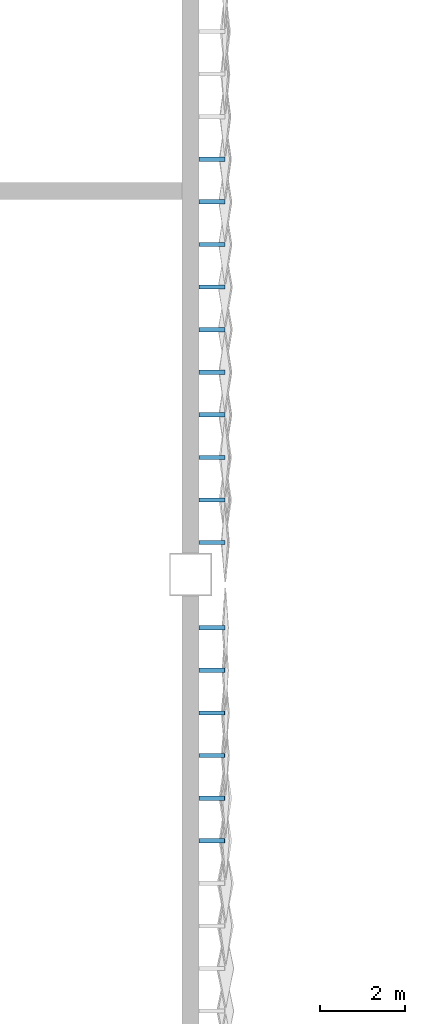
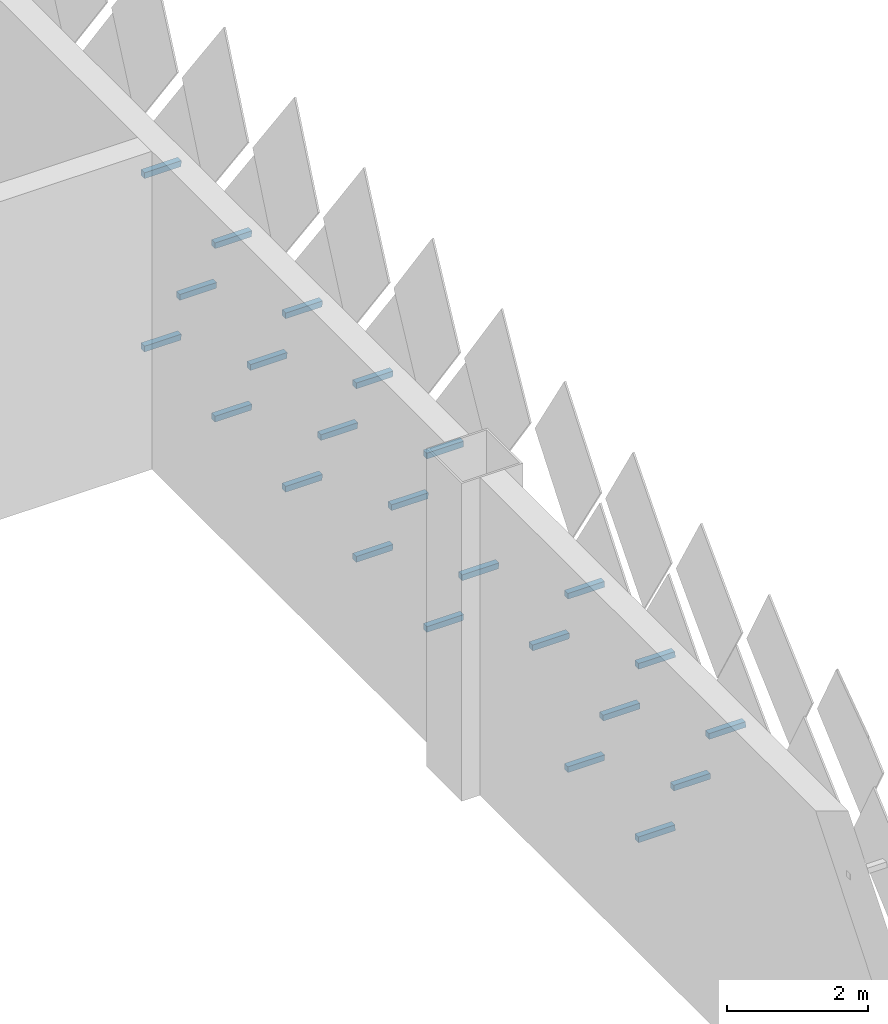
# One storey, part 144 of 185: 23 discrete accessories.
"""IFC4 building model written with IfcOpenShell, lengths in metres."""

from ifc_helpers import new_model, si_unit, direction, frame, origin, place, context, subcontext, project, spatial, polyline, outline, extrude, material, type_object, element, save


model = new_model("IFC4")

# Units and contexts
model_context = context("Model", 3, precision=1e-05, world=origin(), true_north=direction((0.0, 1.0)))
body_context = subcontext(model_context, "Body", "Model", "MODEL_VIEW")
ifc_project = project(units=[si_unit("LENGTHUNIT", "METRE"), si_unit("AREAUNIT", "SQUARE_METRE"), si_unit("VOLUMEUNIT", "CUBIC_METRE"), si_unit("PLANEANGLEUNIT", "RADIAN"), si_unit("MASSUNIT", "GRAM", prefix="KILO")], contexts=[model_context])

# Site, building, storey
site_placement = place(None, origin())
site = spatial("IfcSite", under=ifc_project, at=site_placement, CompositionType="ELEMENT")
building_placement = place(site_placement, origin())
building = spatial("IfcBuilding", under=site, at=building_placement, Name="Opaline Strait Convention Centre", CompositionType="ELEMENT")
storey_placement = place(building_placement, frame((0.0, 0.0, 6.0)))
storey = spatial("IfcBuildingStorey", under=building, at=storey_placement, Name="L01", CompositionType="ELEMENT", Elevation=6.0)

# Discrete accessories
ifc_material = material(Name="Steel Q355B", Category="steel")
discrete_accessory_type = type_object("IfcDiscreteAccessoryType", Name="Tile bracket 100x100 steel", PredefinedType="BRACKET", material=ifc_material)
discrete_accessory_1_placement = place(storey_placement, frame((261.199951171875, 121.699951171875, 1.39208984375), z_axis=(0.0, 1.0, 0.0), x_axis=(-1.0, 0.0, 0.0)))
element("IfcDiscreteAccessory", 1, at=discrete_accessory_1_placement, inside=storey, type_object=discrete_accessory_type, Name="Tile bracket XT05 E", PredefinedType="BRACKET", context=body_context, shape_type="SweptSolid", body=[
    extrude(outline(polyline([(0.0, -0.050048828125), (0.0, 0.050048828125), (-0.597900390625, 0.050048828125), (-0.602294921875, -0.050048828125), (0.0, -0.050048828125)])), origin(), (0.0, 0.0, 1.0), 0.10009765625),
])
discrete_accessory_2_placement = place(storey_placement, frame((261.199951171875, 123.699951171875, 1.39208984375), z_axis=(0.0, 1.0, 0.0), x_axis=(-1.0, 0.0, 0.0)))
element("IfcDiscreteAccessory", 2, at=discrete_accessory_2_placement, inside=storey, type_object=discrete_accessory_type, Name="Tile bracket XT05 E", PredefinedType="BRACKET", context=body_context, shape_type="SweptSolid", body=[
    extrude(outline(polyline([(0.0, -0.050048828125), (0.0, 0.050048828125), (-0.602294921875, 0.050048828125), (-0.597900390625, -0.050048828125), (0.0, -0.050048828125)])), origin(), (0.0, 0.0, 1.0), 0.10009765625),
])
discrete_accessory_3_placement = place(storey_placement, frame((261.199951171875, 127.699951171875, 1.39208984375), z_axis=(0.0, 1.0, 0.0), x_axis=(-1.0, 0.0, 0.0)))
element("IfcDiscreteAccessory", 3, at=discrete_accessory_3_placement, inside=storey, type_object=discrete_accessory_type, Name="Tile bracket XT11 E", PredefinedType="BRACKET", context=body_context, shape_type="SweptSolid", body=[
    extrude(outline(polyline([(0.0, -0.050048828125), (0.0, 0.050048828125), (-0.604736328125, 0.050048828125), (-0.59521484375, -0.050048828125), (0.0, -0.050048828125)])), origin(), (0.0, 0.0, 1.0), 0.10009765625),
])
discrete_accessory_4_placement = place(storey_placement, frame((261.199951171875, 129.699951171875, 1.39208984375), z_axis=(0.0, 1.0, 0.0), x_axis=(-1.0, 0.0, 0.0)))
element("IfcDiscreteAccessory", 4, at=discrete_accessory_4_placement, inside=storey, type_object=discrete_accessory_type, Name="Tile bracket XT12 E", PredefinedType="BRACKET", context=body_context, shape_type="SweptSolid", body=[
    extrude(outline(polyline([(0.0, -0.050048828125), (0.0, 0.050048828125), (-0.605224609375, 0.050048828125), (-0.5947265625, -0.050048828125), (0.0, -0.050048828125)])), origin(), (0.0, 0.0, 1.0), 0.10009765625),
])
discrete_accessory_5_placement = place(storey_placement, frame((261.199951171875, 131.699951171875, 1.39208984375), z_axis=(0.0, 1.0, 0.0), x_axis=(-1.0, 0.0, 0.0)))
element("IfcDiscreteAccessory", 5, at=discrete_accessory_5_placement, inside=storey, type_object=discrete_accessory_type, Name="Tile bracket XT13 E", PredefinedType="BRACKET", context=body_context, shape_type="SweptSolid", body=[
    extrude(outline(polyline([(0.0, -0.050048828125), (0.0, 0.050048828125), (-0.605712890625, 0.050048828125), (-0.59423828125, -0.050048828125), (0.0, -0.050048828125)])), origin(), (0.0, 0.0, 1.0), 0.10009765625),
])
discrete_accessory_6_placement = place(storey_placement, frame((261.199951171875, 133.699951171875, 1.39208984375), z_axis=(0.0, 1.0, 0.0), x_axis=(-1.0, 0.0, 0.0)))
element("IfcDiscreteAccessory", 6, at=discrete_accessory_6_placement, inside=storey, type_object=discrete_accessory_type, Name="Tile bracket XT11 E", PredefinedType="BRACKET", context=body_context, shape_type="SweptSolid", body=[
    extrude(outline(polyline([(0.0, -0.050048828125), (0.0, 0.050048828125), (-0.604736328125, 0.050048828125), (-0.59521484375, -0.050048828125), (0.0, -0.050048828125)])), origin(), (0.0, 0.0, 1.0), 0.10009765625),
])
discrete_accessory_7_placement = place(storey_placement, frame((261.199951171875, 135.699951171875, 1.39208984375), z_axis=(0.0, 1.0, 0.0), x_axis=(-1.0, 0.0, 0.0)))
element("IfcDiscreteAccessory", 7, at=discrete_accessory_7_placement, inside=storey, type_object=discrete_accessory_type, Name="Tile bracket XT09 E", PredefinedType="BRACKET", context=body_context, shape_type="SweptSolid", body=[
    extrude(outline(polyline([(0.0, -0.050048828125), (0.0, 0.050048828125), (-0.60400390625, 0.050048828125), (-0.595947265625, -0.050048828125), (0.0, -0.050048828125)])), origin(), (0.0, 0.0, 1.0), 0.10009765625),
])
discrete_accessory_8_placement = place(storey_placement, frame((261.199951171875, 120.699951171875, 2.89208984375), z_axis=(0.0, 1.0, 0.0), x_axis=(-1.0, 0.0, 0.0)))
element("IfcDiscreteAccessory", 8, at=discrete_accessory_8_placement, inside=storey, type_object=discrete_accessory_type, Name="Tile bracket XT07 E", PredefinedType="BRACKET", context=body_context, shape_type="SweptSolid", body=[
    extrude(outline(polyline([(0.0, -0.050048828125), (0.0, 0.050048828125), (-0.596923828125, 0.050048828125), (-0.60302734375, -0.050048828125), (0.0, -0.050048828125)])), origin(), (0.0, 0.0, 1.0), 0.10009765625),
])
discrete_accessory_9_placement = place(storey_placement, frame((261.199951171875, 122.699951171875, 2.89208984375), z_axis=(0.0, 1.0, 0.0), x_axis=(-1.0, 0.0, 0.0)))
element("IfcDiscreteAccessory", 9, at=discrete_accessory_9_placement, inside=storey, type_object=discrete_accessory_type, Name="Tile bracket XT05 E", PredefinedType="BRACKET", context=body_context, shape_type="SweptSolid", body=[
    extrude(outline(polyline([(0.0, -0.050048828125), (0.0, 0.050048828125), (-0.597900390625, 0.050048828125), (-0.602294921875, -0.050048828125), (0.0, -0.050048828125)])), origin(), (0.0, 0.0, 1.0), 0.10009765625),
])
discrete_accessory_10_placement = place(storey_placement, frame((261.199951171875, 124.699951171875, 2.89208984375), z_axis=(0.0, 1.0, 0.0), x_axis=(-1.0, 0.0, 0.0)))
element("IfcDiscreteAccessory", 10, at=discrete_accessory_10_placement, inside=storey, type_object=discrete_accessory_type, Name="Tile bracket XT05 E", PredefinedType="BRACKET", context=body_context, shape_type="SweptSolid", body=[
    extrude(outline(polyline([(0.0, -0.050048828125), (0.0, 0.050048828125), (-0.602294921875, 0.050048828125), (-0.597900390625, -0.050048828125), (0.0, -0.050048828125)])), origin(), (0.0, 0.0, 1.0), 0.10009765625),
])
discrete_accessory_11_placement = place(storey_placement, frame((261.199951171875, 126.699951171875, 2.89208984375), z_axis=(0.0, 1.0, 0.0), x_axis=(-1.0, 0.0, 0.0)))
element("IfcDiscreteAccessory", 11, at=discrete_accessory_11_placement, inside=storey, type_object=discrete_accessory_type, Name="Tile bracket XT07 E", PredefinedType="BRACKET", context=body_context, shape_type="SweptSolid", body=[
    extrude(outline(polyline([(0.0, -0.050048828125), (0.0, 0.050048828125), (-0.60302734375, 0.050048828125), (-0.596923828125, -0.050048828125), (0.0, -0.050048828125)])), origin(), (0.0, 0.0, 1.0), 0.10009765625),
])
discrete_accessory_12_placement = place(storey_placement, frame((261.199951171875, 128.699951171875, 2.89208984375), z_axis=(0.0, 1.0, 0.0), x_axis=(-1.0, 0.0, 0.0)))
element("IfcDiscreteAccessory", 12, at=discrete_accessory_12_placement, inside=storey, type_object=discrete_accessory_type, Name="Tile bracket XT11 E", PredefinedType="BRACKET", context=body_context, shape_type="SweptSolid", body=[
    extrude(outline(polyline([(0.0, -0.050048828125), (0.0, 0.050048828125), (-0.604736328125, 0.050048828125), (-0.59521484375, -0.050048828125), (0.0, -0.050048828125)])), origin(), (0.0, 0.0, 1.0), 0.10009765625),
])
discrete_accessory_13_placement = place(storey_placement, frame((261.199951171875, 130.699951171875, 2.89208984375), z_axis=(0.0, 1.0, 0.0), x_axis=(-1.0, 0.0, 0.0)))
element("IfcDiscreteAccessory", 13, at=discrete_accessory_13_placement, inside=storey, type_object=discrete_accessory_type, Name="Tile bracket XT12 E", PredefinedType="BRACKET", context=body_context, shape_type="SweptSolid", body=[
    extrude(outline(polyline([(0.0, -0.050048828125), (0.0, 0.050048828125), (-0.605224609375, 0.050048828125), (-0.5947265625, -0.050048828125), (0.0, -0.050048828125)])), origin(), (0.0, 0.0, 1.0), 0.10009765625),
])
discrete_accessory_14_placement = place(storey_placement, frame((261.199951171875, 132.699951171875, 2.89208984375), z_axis=(0.0, 1.0, 0.0), x_axis=(-1.0, 0.0, 0.0)))
element("IfcDiscreteAccessory", 14, at=discrete_accessory_14_placement, inside=storey, type_object=discrete_accessory_type, Name="Tile bracket XT13 E", PredefinedType="BRACKET", context=body_context, shape_type="SweptSolid", body=[
    extrude(outline(polyline([(0.0, -0.050048828125), (0.0, 0.050048828125), (-0.605712890625, 0.050048828125), (-0.59423828125, -0.050048828125), (0.0, -0.050048828125)])), origin(), (0.0, 0.0, 1.0), 0.10009765625),
])
discrete_accessory_15_placement = place(storey_placement, frame((261.199951171875, 134.699951171875, 2.89208984375), z_axis=(0.0, 1.0, 0.0), x_axis=(-1.0, 0.0, 0.0)))
element("IfcDiscreteAccessory", 15, at=discrete_accessory_15_placement, inside=storey, type_object=discrete_accessory_type, Name="Tile bracket XT11 E", PredefinedType="BRACKET", context=body_context, shape_type="SweptSolid", body=[
    extrude(outline(polyline([(0.0, -0.050048828125), (0.0, 0.050048828125), (-0.604736328125, 0.050048828125), (-0.59521484375, -0.050048828125), (0.0, -0.050048828125)])), origin(), (0.0, 0.0, 1.0), 0.10009765625),
])
discrete_accessory_16_placement = place(storey_placement, frame((261.199951171875, 119.699951171875, 4.39208984375), z_axis=(0.0, 1.0, 0.0), x_axis=(-1.0, 0.0, 0.0)))
element("IfcDiscreteAccessory", 16, at=discrete_accessory_16_placement, inside=storey, type_object=discrete_accessory_type, Name="Tile bracket XT12 E", PredefinedType="BRACKET", context=body_context, shape_type="SweptSolid", body=[
    extrude(outline(polyline([(0.0, -0.050048828125), (0.0, 0.050048828125), (-0.5947265625, 0.050048828125), (-0.605224609375, -0.050048828125), (0.0, -0.050048828125)])), origin(), (0.0, 0.0, 1.0), 0.10009765625),
])
discrete_accessory_17_placement = place(storey_placement, frame((261.199951171875, 121.699951171875, 4.39208984375), z_axis=(0.0, 1.0, 0.0), x_axis=(-1.0, 0.0, 0.0)))
element("IfcDiscreteAccessory", 17, at=discrete_accessory_17_placement, inside=storey, type_object=discrete_accessory_type, Name="Tile bracket XT08 E", PredefinedType="BRACKET", context=body_context, shape_type="SweptSolid", body=[
    extrude(outline(polyline([(0.0, -0.050048828125), (0.0, 0.050048828125), (-0.596435546875, 0.050048828125), (-0.603515625, -0.050048828125), (0.0, -0.050048828125)])), origin(), (0.0, 0.0, 1.0), 0.10009765625),
])
discrete_accessory_18_placement = place(storey_placement, frame((261.199951171875, 123.699951171875, 4.39208984375), z_axis=(0.0, 1.0, 0.0), x_axis=(-1.0, 0.0, 0.0)))
element("IfcDiscreteAccessory", 18, at=discrete_accessory_18_placement, inside=storey, type_object=discrete_accessory_type, Name="Tile bracket XT05 E", PredefinedType="BRACKET", context=body_context, shape_type="SweptSolid", body=[
    extrude(outline(polyline([(0.0, -0.050048828125), (0.0, 0.050048828125), (-0.597900390625, 0.050048828125), (-0.602294921875, -0.050048828125), (0.0, -0.050048828125)])), origin(), (0.0, 0.0, 1.0), 0.10009765625),
])
discrete_accessory_19_placement = place(storey_placement, frame((261.199951171875, 127.699951171875, 4.39208984375), z_axis=(0.0, 1.0, 0.0), x_axis=(-1.0, 0.0, 0.0)))
element("IfcDiscreteAccessory", 19, at=discrete_accessory_19_placement, inside=storey, type_object=discrete_accessory_type, Name="Tile bracket XT07 E", PredefinedType="BRACKET", context=body_context, shape_type="SweptSolid", body=[
    extrude(outline(polyline([(0.0, -0.050048828125), (0.0, 0.050048828125), (-0.60302734375, 0.050048828125), (-0.596923828125, -0.050048828125), (0.0, -0.050048828125)])), origin(), (0.0, 0.0, 1.0), 0.10009765625),
])
discrete_accessory_20_placement = place(storey_placement, frame((261.199951171875, 129.699951171875, 4.39208984375), z_axis=(0.0, 1.0, 0.0), x_axis=(-1.0, 0.0, 0.0)))
element("IfcDiscreteAccessory", 20, at=discrete_accessory_20_placement, inside=storey, type_object=discrete_accessory_type, Name="Tile bracket XT10 E", PredefinedType="BRACKET", context=body_context, shape_type="SweptSolid", body=[
    extrude(outline(polyline([(0.0, -0.050048828125), (0.0, 0.050048828125), (-0.604248046875, 0.050048828125), (-0.595703125, -0.050048828125), (0.0, -0.050048828125)])), origin(), (0.0, 0.0, 1.0), 0.10009765625),
])
for number, where, z_axis, x_axis, name in (
    (21, (261.199951171875, 131.699951171875, 4.39208984375), (0.0, 1.0, 0.0), (-1.0, 0.0, 0.0), "Tile bracket XT12 E"),
    (22, (261.199951171875, 133.699951171875, 4.39208984375), (0.0, 1.0, 0.0), (-1.0, 0.0, 0.0), "Tile bracket XT12 E"),
):
    element("IfcDiscreteAccessory", number, at=place(storey_placement, frame(where, z_axis=z_axis, x_axis=x_axis)), inside=storey, type_object=discrete_accessory_type, Name=name, PredefinedType="BRACKET", context=body_context, shape_type="SweptSolid", body=[
        extrude(outline(polyline([(0.0, -0.050048828125), (0.0, 0.050048828125), (-0.605224609375, 0.050048828125), (-0.5947265625, -0.050048828125), (0.0, -0.050048828125)])), origin(), (0.0, 0.0, 1.0), 0.10009765625),
    ])
discrete_accessory_21_placement = place(storey_placement, frame((261.199951171875, 135.699951171875, 4.39208984375), z_axis=(0.0, 1.0, 0.0), x_axis=(-1.0, 0.0, 0.0)))
element("IfcDiscreteAccessory", 23, at=discrete_accessory_21_placement, inside=storey, type_object=discrete_accessory_type, Name="Tile bracket XT11 E", PredefinedType="BRACKET", context=body_context, shape_type="SweptSolid", body=[
    extrude(outline(polyline([(0.0, -0.050048828125), (0.0, 0.050048828125), (-0.604736328125, 0.050048828125), (-0.59521484375, -0.050048828125), (0.0, -0.050048828125)])), origin(), (0.0, 0.0, 1.0), 0.10009765625),
])

save(model, "model.ifc")
